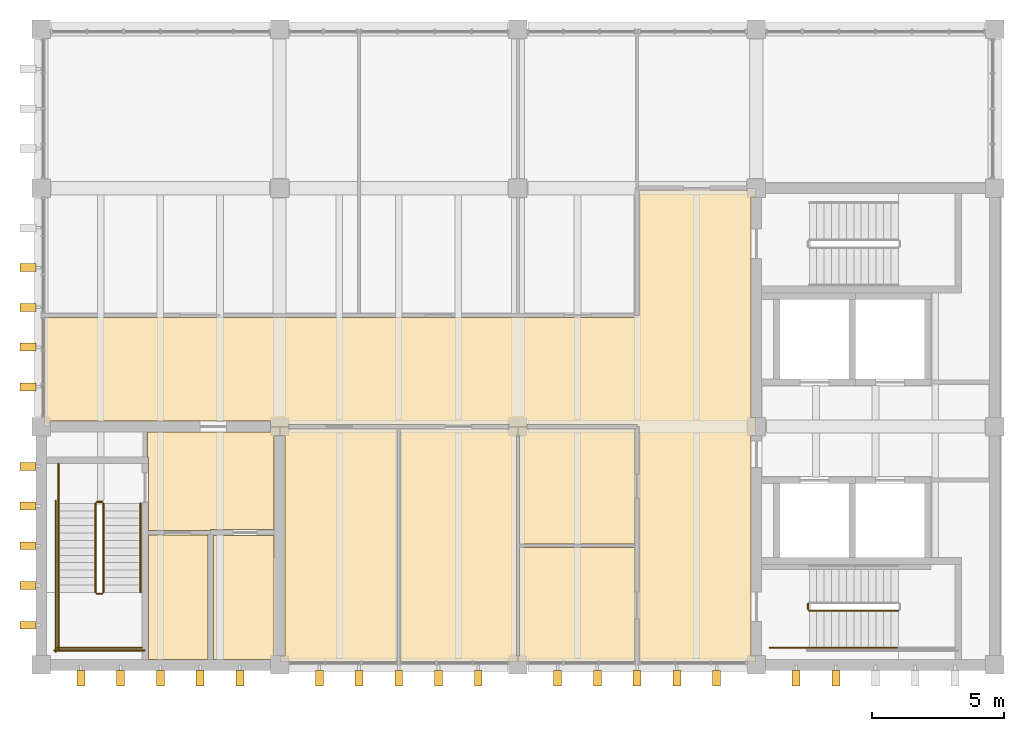
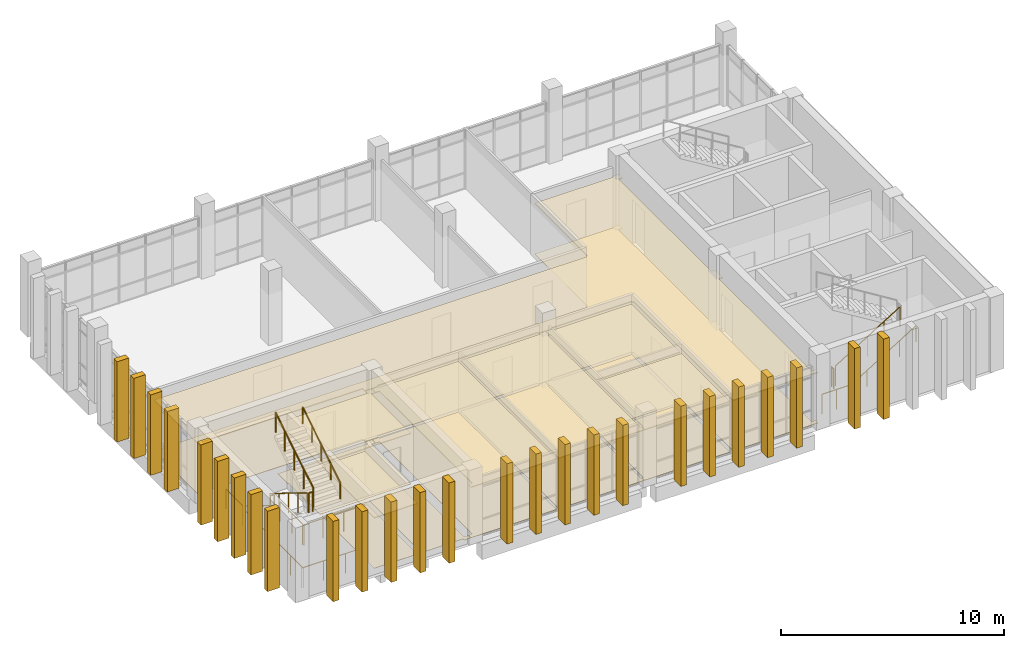
# One storey, part 12 of 14: 26 shading devices, 15 coverings, 15 railings.
"""IFC4 building model written with IfcOpenShell, lengths in metres."""

from ifc_helpers import new_model, si_unit, direction, frame, origin, origin_2d, place, context, subcontext, project, spatial, polyline, circle, outline, extrude, source, transform, mapped, material, layer, layer_set, type_object, element, save


model = new_model("IFC4")

# Units and contexts
model_context = context("Model", 3, precision=1e-05, world=origin(), true_north=direction((0.0, 1.0)))
body_context = subcontext(model_context, "Body", "Model", "MODEL_VIEW")
ifc_project = project(units=[si_unit("LENGTHUNIT", "METRE"), si_unit("AREAUNIT", "SQUARE_METRE"), si_unit("VOLUMEUNIT", "CUBIC_METRE"), si_unit("PLANEANGLEUNIT", "RADIAN"), si_unit("MASSUNIT", "GRAM", prefix="KILO")], contexts=[model_context])

# Site, building, storey
site_placement = place(None, origin())
site = spatial("IfcSite", under=ifc_project, at=site_placement, CompositionType="ELEMENT")
building_placement = place(site_placement, origin())
building = spatial("IfcBuilding", under=site, at=building_placement, Name="Merrow Basin Faculty of Sciences", CompositionType="ELEMENT")
storey_placement = place(building_placement, frame((0.0, 0.0, 36.0)))
storey = spatial("IfcBuildingStorey", under=building, at=storey_placement, Name="L08", CompositionType="ELEMENT", Elevation=36.0)

# Coverings
ifc_material_1 = material(Name="Carpet tile floor")
ifc_layer_1 = layer(ifc_material_1, 0.02001953125)
ifc_layer_set_1 = layer_set([ifc_layer_1], Name="Carpet tile floor")
covering_type_1 = type_object("IfcCoveringType", Name="Carpet tile floor", PredefinedType="FLOORING", material=ifc_layer_set_1)
covering_1_placement = place(storey_placement, origin())
element("IfcCovering", 1, at=covering_1_placement, inside=storey, type_object=covering_type_1, Name="Floor finish L08-T-011", PredefinedType="FLOORING", context=body_context, shape_type="SweptSolid", body=[
    extrude(outline(polyline([(26.989990234375, 142.110107421875), (26.659912109375, 142.110107421875), (26.659912109375, 142.2099609375), (24.510009765625, 142.2099609375), (24.510009765625, 146.889892578125), (26.7900390625, 146.889892578125), (26.7900390625, 142.340087890625), (26.989990234375, 142.340087890625), (26.989990234375, 142.110107421875)])), origin(), (0.0, 0.0, 1.0), 0.02001953125),
])
covering_2_placement = place(storey_placement, origin())
element("IfcCovering", 2, at=covering_2_placement, inside=storey, type_object=covering_type_1, Name="Floor finish L08-T-017", PredefinedType="FLOORING", context=body_context, shape_type="SweptSolid", body=[
    extrude(outline(polyline([(27.340087890625, 150.989990234375), (27.340087890625, 150.9150390625), (31.43994140625, 150.9150390625), (31.43994140625, 142.110107421875), (27.010009765625, 142.110107421875), (27.010009765625, 142.340087890625), (27.2099609375, 142.340087890625), (27.2099609375, 150.659912109375), (27.010009765625, 150.659912109375), (27.010009765625, 150.989990234375), (27.340087890625, 150.989990234375)])), origin(), (0.0, 0.0, 1.0), 0.02001953125),
])
covering_3_placement = place(storey_placement, origin())
element("IfcCovering", 3, at=covering_3_placement, inside=storey, type_object=covering_type_1, Name="Floor finish L08-T-018", PredefinedType="FLOORING", context=body_context, shape_type="SweptSolid", body=[
    extrude(outline(polyline([(35.989990234375, 150.989990234375), (35.989990234375, 150.659912109375), (35.93994140625, 150.659912109375), (35.93994140625, 142.340087890625), (35.989990234375, 142.340087890625), (35.989990234375, 142.110107421875), (31.56005859375, 142.110107421875), (31.56005859375, 150.9150390625), (35.659912109375, 150.9150390625), (35.659912109375, 150.989990234375), (35.989990234375, 150.989990234375)])), origin(), (0.0, 0.0, 1.0), 0.02001953125),
])
ifc_material_2 = material(Name="Ceramic floor tile")
ifc_layer_2 = layer(ifc_material_2, 0.02001953125)
ifc_layer_set_2 = layer_set([ifc_layer_2], Name="Ceramic floor tile")
covering_type_2 = type_object("IfcCoveringType", Name="Ceramic floor tile", PredefinedType="FLOORING", material=ifc_layer_set_2)
covering_4_placement = place(storey_placement, origin())
element("IfcCovering", 4, at=covering_4_placement, inside=storey, type_object=covering_type_2, Name="Floor finish L08-T-010", PredefinedType="FLOORING", context=body_context, shape_type="SweptSolid", body=[
    extrude(outline(polyline([(24.2900390625, 142.2099609375), (22.06005859375, 142.2099609375), (22.06005859375, 146.9150390625), (24.2900390625, 146.9150390625), (24.2900390625, 142.2099609375)])), origin(), (0.0, 0.0, 1.0), 0.02001953125),
])
covering_5_placement = place(storey_placement, origin())
element("IfcCovering", 5, at=covering_5_placement, inside=storey, type_object=covering_type_2, Name="Floor finish L08-T-012", PredefinedType="FLOORING", context=body_context, shape_type="SweptSolid", body=[
    extrude(outline(polyline([(36.010009765625, 142.110107421875), (36.010009765625, 142.340087890625), (36.06005859375, 142.340087890625), (36.06005859375, 146.43994140625), (40.4150390625, 146.43994140625), (40.4150390625, 142.110107421875), (36.010009765625, 142.110107421875)])), origin(), (0.0, 0.0, 1.0), 0.02001953125),
])
covering_6_placement = place(storey_placement, origin())
element("IfcCovering", 6, at=covering_6_placement, inside=storey, type_object=covering_type_2, Name="Floor finish L08-T-013", PredefinedType="FLOORING", context=body_context, shape_type="SweptSolid", body=[
    extrude(outline(polyline([(36.010009765625, 150.989990234375), (36.340087890625, 150.989990234375), (36.340087890625, 150.9150390625), (40.4150390625, 150.9150390625), (40.4150390625, 146.56005859375), (36.06005859375, 146.56005859375), (36.06005859375, 150.659912109375), (36.010009765625, 150.659912109375), (36.010009765625, 150.989990234375)])), origin(), (0.0, 0.0, 1.0), 0.02001953125),
])
ifc_material_3 = material(Name="Polished terrazzo floor")
ifc_layer_3 = layer(ifc_material_3, 0.02001953125)
ifc_layer_set_3 = layer_set([ifc_layer_3], Name="Polished terrazzo floor")
covering_type_3 = type_object("IfcCoveringType", Name="Polished terrazzo floor", PredefinedType="FLOORING", material=ifc_layer_set_3)
covering_7_placement = place(storey_placement, origin())
element("IfcCovering", 7, at=covering_7_placement, inside=storey, type_object=covering_type_3, Name="Floor finish L08-T-009", PredefinedType="FLOORING", context=body_context, shape_type="SweptSolid", body=[
    extrude(outline(polyline([(26.989990234375, 150.989990234375), (26.989990234375, 150.659912109375), (26.7900390625, 150.659912109375), (26.7900390625, 147.110107421875), (24.389892578125, 147.110107421875), (24.389892578125, 147.0849609375), (22.06005859375, 147.0849609375), (22.06005859375, 149.860107421875), (22.010009765625, 149.860107421875), (22.010009765625, 150.7900390625), (26.659912109375, 150.7900390625), (26.659912109375, 150.989990234375), (26.989990234375, 150.989990234375)])), origin(), (0.0, 0.0, 1.0), 0.02001953125),
])
covering_8_placement = place(storey_placement, origin())
element("IfcCovering", 8, at=covering_8_placement, inside=storey, type_object=covering_type_3, Name="Floor finish L08-T-020", PredefinedType="FLOORING", context=body_context, shape_type="SweptSolid", body=[
    extrude(outline(polyline([(44.989990234375, 159.659912109375), (44.7900390625, 159.659912109375), (44.7900390625, 151.340087890625), (44.989990234375, 151.340087890625), (44.989990234375, 150.659912109375), (44.7900390625, 150.659912109375), (44.7900390625, 142.340087890625), (44.989990234375, 142.340087890625), (44.989990234375, 142.110107421875), (40.5849609375, 142.110107421875), (40.5849609375, 151.010009765625), (40.510009765625, 151.010009765625), (40.510009765625, 151.0849609375), (36.340087890625, 151.0849609375), (36.340087890625, 151.010009765625), (35.659912109375, 151.010009765625), (35.659912109375, 151.0849609375), (27.340087890625, 151.0849609375), (27.340087890625, 151.010009765625), (26.659912109375, 151.010009765625), (26.659912109375, 151.2099609375), (18.340087890625, 151.2099609375), (18.340087890625, 151.010009765625), (18.110107421875, 151.010009765625), (18.110107421875, 155.114990234375), (40.510009765625, 155.114990234375), (40.510009765625, 155.18994140625), (40.5849609375, 155.18994140625), (40.5849609375, 159.9150390625), (44.659912109375, 159.9150390625), (44.659912109375, 159.989990234375), (44.989990234375, 159.989990234375), (44.989990234375, 159.659912109375)])), origin(), (0.0, 0.0, 1.0), 0.02001953125),
])

# Railings
ifc_material_4 = material(Name="Steel ASTM A36", Category="steel")
railing_type_1 = type_object("IfcRailingType", Name="Steel guard 1100", PredefinedType="GUARDRAIL", material=ifc_material_4)
railing_1_placement = place(storey_placement, frame((47.0, 144.050048828125, 0.173095703125)))
element("IfcRailing", 9, at=railing_1_placement, inside=storey, type_object=railing_type_1, Name="L08 ST-V5-N stair guard 1", PredefinedType="GUARDRAIL", context=body_context, shape_type="SweptSolid", body=[
    extrude(circle(Radius=0.02392578125, at=origin_2d()), frame((0.0, 0.0, 1.076171875), z_axis=(0.850623216509, 0.0, 0.525775754039), x_axis=(0.0, 1.0, 0.0)), (0.0, 0.0, 1.0), 3.9501953125),
    extrude(circle(Radius=0.02099609375, at=origin_2d()), origin(), (0.0, 0.0, 1.0), 1.052001953125),
    extrude(circle(Radius=0.02099609375, at=origin_2d()), frame((0.840087890625, 0.0, 0.519287109375)), (0.0, 0.0, 1.0), 1.052001953125),
    extrude(circle(Radius=0.02099609375, at=origin_2d()), frame((1.68017578125, 0.0, 1.03857421875)), (0.0, 0.0, 1.0), 1.052001953125),
    extrude(circle(Radius=0.02099609375, at=origin_2d()), frame((2.52001953125, 0.0, 1.5576171875)), (0.0, 0.0, 1.0), 1.052001953125),
    extrude(circle(Radius=0.02099609375, at=origin_2d()), frame((3.360107421875, 0.0, 2.076904296875)), (0.0, 0.0, 1.0), 1.052001953125),
])
railing_2_placement = place(storey_placement, frame((46.949951171875, 144.10009765625, 0.0)))
element("IfcRailing", 10, at=railing_2_placement, inside=storey, type_object=railing_type_1, Name="L08 ST-V5-N stair guard 5", PredefinedType="GUARDRAIL", context=body_context, shape_type="SweptSolid", body=[
    extrude(circle(Radius=0.02392578125, at=origin_2d()), frame((0.0, 0.0, 1.076171875), z_axis=(0.0, 1.0, 0.0), x_axis=(-1.0, 0.0, 0.0)), (0.0, 0.0, 1.0), 0.199951171875),
    extrude(circle(Radius=0.02099609375, at=origin_2d()), origin(), (0.0, 0.0, 1.0), 1.052001953125),
    extrude(circle(Radius=0.02099609375, at=origin_2d()), frame((0.0, 0.199951171875, 0.0)), (0.0, 0.0, 1.0), 1.052001953125),
])
railing_3_placement = place(storey_placement, frame((45.5, 142.64990234375, 0.0)))
element("IfcRailing", 11, at=railing_3_placement, inside=storey, type_object=railing_type_1, Name="L08 ST-V5-N stair guard 6", PredefinedType="GUARDRAIL", context=body_context, shape_type="SweptSolid", body=[
    extrude(circle(Radius=0.02392578125, at=origin_2d()), frame((0.0, 0.0, 1.076171875), z_axis=(1.0, 0.0, 0.0), x_axis=(0.0, 1.0, 0.0)), (0.0, 0.0, 1.0), 1.5),
    extrude(circle(Radius=0.02099609375, at=origin_2d()), origin(), (0.0, 0.0, 1.0), 1.052001953125),
    extrude(circle(Radius=0.02099609375, at=origin_2d()), frame((0.75, 0.0, 0.0)), (0.0, 0.0, 1.0), 1.052001953125),
    extrude(circle(Radius=0.02099609375, at=origin_2d()), frame((1.5, 0.0, 0.0)), (0.0, 0.0, 1.0), 1.052001953125),
])
railing_4_placement = place(storey_placement, frame((20.050048828125, 148.10009765625, 0.173095703125)))
element("IfcRailing", 12, at=railing_4_placement, inside=storey, type_object=railing_type_1, Name="L08 ST-V5-W stair guard 1", PredefinedType="GUARDRAIL", context=body_context, shape_type="SweptSolid", body=[
    extrude(circle(Radius=0.02392578125, at=origin_2d()), frame((0.0, 0.0, 1.076171875), z_axis=(0.0, -0.850623216509, 0.525775754039), x_axis=(1.0, 0.0, 0.0)), (0.0, 0.0, 1.0), 3.9501953125),
    extrude(circle(Radius=0.02099609375, at=origin_2d()), origin(), (0.0, 0.0, 1.0), 1.052001953125),
    extrude(circle(Radius=0.02099609375, at=origin_2d()), frame((0.0, -0.840087890625, 0.519287109375)), (0.0, 0.0, 1.0), 1.052001953125),
    extrude(circle(Radius=0.02099609375, at=origin_2d()), frame((0.0, -1.68017578125, 1.03857421875)), (0.0, 0.0, 1.0), 1.052001953125),
    extrude(circle(Radius=0.02099609375, at=origin_2d()), frame((0.0, -2.52001953125, 1.5576171875)), (0.0, 0.0, 1.0), 1.052001953125),
    extrude(circle(Radius=0.02099609375, at=origin_2d()), frame((0.0, -3.360107421875, 2.076904296875)), (0.0, 0.0, 1.0), 1.052001953125),
])
railing_5_placement = place(storey_placement, frame((20.10009765625, 144.68994140625, 2.25)))
element("IfcRailing", 13, at=railing_5_placement, inside=storey, type_object=railing_type_1, Name="L08 ST-V5-W stair guard 2", PredefinedType="GUARDRAIL", context=body_context, shape_type="SweptSolid", body=[
    extrude(circle(Radius=0.02392578125, at=origin_2d()), frame((0.0, 0.0, 1.076171875), z_axis=(1.0, 0.0, 0.0), x_axis=(0.0, 1.0, 0.0)), (0.0, 0.0, 1.0), 0.199951171875),
    extrude(circle(Radius=0.02099609375, at=origin_2d()), origin(), (0.0, 0.0, 1.0), 1.052001953125),
    extrude(circle(Radius=0.02099609375, at=origin_2d()), frame((0.199951171875, 0.0, 0.0)), (0.0, 0.0, 1.0), 1.052001953125),
])
railing_6_placement = place(storey_placement, frame((18.64990234375, 144.739990234375, 2.25)))
element("IfcRailing", 14, at=railing_6_placement, inside=storey, type_object=railing_type_1, Name="L08 ST-V5-W stair guard 3", PredefinedType="GUARDRAIL", context=body_context, shape_type="SweptSolid", body=[
    extrude(circle(Radius=0.02392578125, at=origin_2d()), frame((0.0, 0.0, 1.076171875), z_axis=(0.0, -1.0, 0.0), x_axis=(1.0, 0.0, 0.0)), (0.0, 0.0, 1.0), 2.139892578125),
    extrude(circle(Radius=0.02099609375, at=origin_2d()), origin(), (0.0, 0.0, 1.0), 1.052001953125),
    extrude(circle(Radius=0.02099609375, at=origin_2d()), frame((0.0, -1.06982421875, 0.0)), (0.0, 0.0, 1.0), 1.052001953125),
    extrude(circle(Radius=0.02099609375, at=origin_2d()), frame((0.0, -2.139892578125, 0.0)), (0.0, 0.0, 1.0), 1.052001953125),
])
railing_7_placement = place(storey_placement, frame((18.60009765625, 142.64990234375, 2.25)))
element("IfcRailing", 15, at=railing_7_placement, inside=storey, type_object=railing_type_1, Name="L08 ST-V5-W stair guard 4", PredefinedType="GUARDRAIL", context=body_context, shape_type="SweptSolid", body=[
    extrude(circle(Radius=0.02392578125, at=origin_2d()), frame((0.0, 0.0, 1.076171875), z_axis=(1.0, 0.0, 0.0), x_axis=(0.0, 1.0, 0.0)), (0.0, 0.0, 1.0), 3.199951171875),
    extrude(circle(Radius=0.02099609375, at=origin_2d()), origin(), (0.0, 0.0, 1.0), 1.052001953125),
    extrude(circle(Radius=0.02099609375, at=origin_2d()), frame((1.066650390625, 0.0, 0.0)), (0.0, 0.0, 1.0), 1.052001953125),
    extrude(circle(Radius=0.02099609375, at=origin_2d()), frame((2.13330078125, 0.0, 0.0)), (0.0, 0.0, 1.0), 1.052001953125),
    extrude(circle(Radius=0.02099609375, at=origin_2d()), frame((3.199951171875, 0.0, 0.0)), (0.0, 0.0, 1.0), 1.052001953125),
])
railing_8_placement = place(storey_placement, frame((20.35009765625, 144.739990234375, 2.423095703125)))
element("IfcRailing", 16, at=railing_8_placement, inside=storey, type_object=railing_type_1, Name="L08 ST-V5-W stair guard 5", PredefinedType="GUARDRAIL", context=body_context, shape_type="SweptSolid", body=[
    extrude(circle(Radius=0.02392578125, at=origin_2d()), frame((0.0, 0.0, 1.076171875), z_axis=(0.0, 0.850623216509, 0.525775754039), x_axis=(-1.0, 0.0, 0.0)), (0.0, 0.0, 1.0), 3.9501953125),
    extrude(circle(Radius=0.02099609375, at=origin_2d()), origin(), (0.0, 0.0, 1.0), 1.052001953125),
    extrude(circle(Radius=0.02099609375, at=origin_2d()), frame((0.0, 0.840087890625, 0.519287109375)), (0.0, 0.0, 1.0), 1.052001953125),
    extrude(circle(Radius=0.02099609375, at=origin_2d()), frame((0.0, 1.68017578125, 1.03857421875)), (0.0, 0.0, 1.0), 1.052001953125),
    extrude(circle(Radius=0.02099609375, at=origin_2d()), frame((0.0, 2.52001953125, 1.5576171875)), (0.0, 0.0, 1.0), 1.052001953125),
    extrude(circle(Radius=0.02099609375, at=origin_2d()), frame((0.0, 3.360107421875, 2.076904296875)), (0.0, 0.0, 1.0), 1.052001953125),
])
railing_9_placement = place(storey_placement, frame((20.10009765625, 148.14990234375, 0.0)))
element("IfcRailing", 17, at=railing_9_placement, inside=storey, type_object=railing_type_1, Name="L08 ST-V5-W stair guard 6", PredefinedType="GUARDRAIL", context=body_context, shape_type="SweptSolid", body=[
    extrude(circle(Radius=0.02392578125, at=origin_2d()), frame((0.0, 0.0, 1.076171875), z_axis=(1.0, 0.0, 0.0), x_axis=(0.0, 1.0, 0.0)), (0.0, 0.0, 1.0), 0.199951171875),
    extrude(circle(Radius=0.02099609375, at=origin_2d()), origin(), (0.0, 0.0, 1.0), 1.052001953125),
    extrude(circle(Radius=0.02099609375, at=origin_2d()), frame((0.199951171875, 0.0, 0.0)), (0.0, 0.0, 1.0), 1.052001953125),
])
railing_10_placement = place(storey_placement, frame((18.64990234375, 149.60009765625, 0.0)))
element("IfcRailing", 18, at=railing_10_placement, inside=storey, type_object=railing_type_1, Name="L08 ST-V5-W stair guard 7", PredefinedType="GUARDRAIL", context=body_context, shape_type="SweptSolid", body=[
    extrude(circle(Radius=0.02392578125, at=origin_2d()), frame((0.0, 0.0, 1.076171875), z_axis=(0.0, -1.0, 0.0), x_axis=(1.0, 0.0, 0.0)), (0.0, 0.0, 1.0), 1.5),
    extrude(circle(Radius=0.02099609375, at=origin_2d()), origin(), (0.0, 0.0, 1.0), 1.052001953125),
    extrude(circle(Radius=0.02099609375, at=origin_2d()), frame((0.0, -0.75, 0.0)), (0.0, 0.0, 1.0), 1.052001953125),
    extrude(circle(Radius=0.02099609375, at=origin_2d()), frame((0.0, -1.5, 0.0)), (0.0, 0.0, 1.0), 1.052001953125),
])
railing_11_placement = place(storey_placement, frame((18.550048828125, 148.199951171875, 0.0)))
element("IfcRailing", 19, at=railing_11_placement, inside=storey, type_object=railing_type_1, Name="L08 ST-V5-W stair guard 8", PredefinedType="GUARDRAIL", context=body_context, shape_type="SweptSolid", body=[
    extrude(circle(Radius=0.02392578125, at=origin_2d()), frame((0.0, 0.0, 1.076171875), z_axis=(0.0, -1.0, 0.0), x_axis=(1.0, 0.0, 0.0)), (0.0, 0.0, 1.0), 5.699951171875),
    extrude(circle(Radius=0.02099609375, at=origin_2d()), origin(), (0.0, 0.0, 1.0), 1.052001953125),
    extrude(circle(Radius=0.02099609375, at=origin_2d()), frame((0.0, -1.139892578125, 0.0)), (0.0, 0.0, 1.0), 1.052001953125),
    extrude(circle(Radius=0.02099609375, at=origin_2d()), frame((0.0, -2.280029296875, 0.0)), (0.0, 0.0, 1.0), 1.052001953125),
    extrude(circle(Radius=0.02099609375, at=origin_2d()), frame((0.0, -3.419921875, 0.0)), (0.0, 0.0, 1.0), 1.052001953125),
    extrude(circle(Radius=0.02099609375, at=origin_2d()), frame((0.0, -4.56005859375, 0.0)), (0.0, 0.0, 1.0), 1.052001953125),
    extrude(circle(Radius=0.02099609375, at=origin_2d()), frame((0.0, -5.699951171875, 0.0)), (0.0, 0.0, 1.0), 1.052001953125),
])
railing_12_placement = place(storey_placement, frame((18.5, 142.550048828125, 0.0)))
element("IfcRailing", 20, at=railing_12_placement, inside=storey, type_object=railing_type_1, Name="L08 ST-V5-W stair guard 9", PredefinedType="GUARDRAIL", context=body_context, shape_type="SweptSolid", body=[
    extrude(circle(Radius=0.02392578125, at=origin_2d()), frame((0.0, 0.0, 1.076171875), z_axis=(1.0, 0.0, 0.0), x_axis=(0.0, 1.0, 0.0)), (0.0, 0.0, 1.0), 3.39990234375),
    extrude(circle(Radius=0.02099609375, at=origin_2d()), origin(), (0.0, 0.0, 1.0), 1.052001953125),
    extrude(circle(Radius=0.02099609375, at=origin_2d()), frame((1.13330078125, 0.0, 0.0)), (0.0, 0.0, 1.0), 1.052001953125),
    extrude(circle(Radius=0.02099609375, at=origin_2d()), frame((2.2666015625, 0.0, 0.0)), (0.0, 0.0, 1.0), 1.052001953125),
    extrude(circle(Radius=0.02099609375, at=origin_2d()), frame((3.39990234375, 0.0, 0.0)), (0.0, 0.0, 1.0), 1.052001953125),
])
ifc_material_5 = material(Name="Steel ASTM A36", Category="steel")
railing_type_2 = type_object("IfcRailingType", Name="Steel handrail 900", PredefinedType="HANDRAIL", material=ifc_material_5)
railing_13_placement = place(storey_placement, frame((47.0, 142.64990234375, 0.173095703125)))
element("IfcRailing", 21, at=railing_13_placement, inside=storey, type_object=railing_type_2, Name="L08 ST-V5-N stair handrail 1", PredefinedType="HANDRAIL", context=body_context, shape_type="SweptSolid", body=[
    extrude(circle(Radius=0.02392578125, at=origin_2d()), frame((0.0, 0.0, 0.8759765625), z_axis=(0.850623216509, 0.0, 0.525775754039), x_axis=(0.0, 1.0, 0.0)), (0.0, 0.0, 1.0), 3.9501953125),
    extrude(circle(Radius=0.02099609375, at=origin_2d()), origin(), (0.0, 0.0, 1.0), 0.851806640625),
    extrude(circle(Radius=0.02099609375, at=origin_2d()), frame((0.840087890625, 0.0, 0.519287109375)), (0.0, 0.0, 1.0), 0.851806640625),
    extrude(circle(Radius=0.02099609375, at=origin_2d()), frame((1.68017578125, 0.0, 1.03857421875)), (0.0, 0.0, 1.0), 0.851806640625),
    extrude(circle(Radius=0.02099609375, at=origin_2d()), frame((2.52001953125, 0.0, 1.5576171875)), (0.0, 0.0, 1.0), 0.851806640625),
    extrude(circle(Radius=0.02099609375, at=origin_2d()), frame((3.360107421875, 0.0, 2.076904296875)), (0.0, 0.0, 1.0), 0.851806640625),
])
railing_14_placement = place(storey_placement, frame((18.64990234375, 148.10009765625, 0.173095703125)))
element("IfcRailing", 22, at=railing_14_placement, inside=storey, type_object=railing_type_2, Name="L08 ST-V5-W stair handrail 1", PredefinedType="HANDRAIL", context=body_context, shape_type="SweptSolid", body=[
    extrude(circle(Radius=0.02392578125, at=origin_2d()), frame((0.0, 0.0, 0.8759765625), z_axis=(0.0, -0.850623216509, 0.525775754039), x_axis=(1.0, 0.0, 0.0)), (0.0, 0.0, 1.0), 3.9501953125),
    extrude(circle(Radius=0.02099609375, at=origin_2d()), origin(), (0.0, 0.0, 1.0), 0.851806640625),
    extrude(circle(Radius=0.02099609375, at=origin_2d()), frame((0.0, -0.840087890625, 0.519287109375)), (0.0, 0.0, 1.0), 0.851806640625),
    extrude(circle(Radius=0.02099609375, at=origin_2d()), frame((0.0, -1.68017578125, 1.03857421875)), (0.0, 0.0, 1.0), 0.851806640625),
    extrude(circle(Radius=0.02099609375, at=origin_2d()), frame((0.0, -2.52001953125, 1.5576171875)), (0.0, 0.0, 1.0), 0.851806640625),
    extrude(circle(Radius=0.02099609375, at=origin_2d()), frame((0.0, -3.360107421875, 2.076904296875)), (0.0, 0.0, 1.0), 0.851806640625),
])
railing_15_placement = place(storey_placement, frame((21.75, 144.739990234375, 2.423095703125)))
element("IfcRailing", 23, at=railing_15_placement, inside=storey, type_object=railing_type_2, Name="L08 ST-V5-W stair handrail 2", PredefinedType="HANDRAIL", context=body_context, shape_type="SweptSolid", body=[
    extrude(circle(Radius=0.02392578125, at=origin_2d()), frame((0.0, 0.0, 0.8759765625), z_axis=(0.0, 0.850623216509, 0.525775754039), x_axis=(-1.0, 0.0, 0.0)), (0.0, 0.0, 1.0), 3.9501953125),
    extrude(circle(Radius=0.02099609375, at=origin_2d()), origin(), (0.0, 0.0, 1.0), 0.851806640625),
    extrude(circle(Radius=0.02099609375, at=origin_2d()), frame((0.0, 0.840087890625, 0.519287109375)), (0.0, 0.0, 1.0), 0.851806640625),
    extrude(circle(Radius=0.02099609375, at=origin_2d()), frame((0.0, 1.68017578125, 1.03857421875)), (0.0, 0.0, 1.0), 0.851806640625),
    extrude(circle(Radius=0.02099609375, at=origin_2d()), frame((0.0, 2.52001953125, 1.5576171875)), (0.0, 0.0, 1.0), 0.851806640625),
    extrude(circle(Radius=0.02099609375, at=origin_2d()), frame((0.0, 3.360107421875, 2.076904296875)), (0.0, 0.0, 1.0), 0.851806640625),
])

# Coverings
ifc_material_6 = material(Name="Mineral fibre ceiling tile")
ifc_layer_4 = layer(ifc_material_6, 0.050048828125)
ifc_layer_set_4 = layer_set([ifc_layer_4], Name="Suspended acoustic ceiling tile")
covering_type_4 = type_object("IfcCoveringType", Name="Suspended acoustic ceiling tile", PredefinedType="CEILING", material=ifc_layer_set_4)
covering_9_placement = place(storey_placement, frame((0.0, 0.0, 2.75)))
element("IfcCovering", 24, at=covering_9_placement, inside=storey, type_object=covering_type_4, Name="Ceiling L08-T-009", PredefinedType="CEILING", context=body_context, shape_type="SweptSolid", body=[
    extrude(outline(polyline([(26.989990234375, 150.989990234375), (26.989990234375, 150.659912109375), (26.7900390625, 150.659912109375), (26.7900390625, 147.110107421875), (24.389892578125, 147.110107421875), (24.389892578125, 147.0849609375), (22.06005859375, 147.0849609375), (22.06005859375, 149.860107421875), (22.010009765625, 149.860107421875), (22.010009765625, 150.7900390625), (26.659912109375, 150.7900390625), (26.659912109375, 150.989990234375), (26.989990234375, 150.989990234375)])), origin(), (0.0, 0.0, 1.0), 0.050048828125),
])
covering_10_placement = place(storey_placement, frame((0.0, 0.0, 2.75)))
element("IfcCovering", 25, at=covering_10_placement, inside=storey, type_object=covering_type_4, Name="Ceiling L08-T-010", PredefinedType="CEILING", context=body_context, shape_type="SweptSolid", body=[
    extrude(outline(polyline([(24.2900390625, 142.2099609375), (22.06005859375, 142.2099609375), (22.06005859375, 146.9150390625), (24.2900390625, 146.9150390625), (24.2900390625, 142.2099609375)])), origin(), (0.0, 0.0, 1.0), 0.050048828125),
])
covering_11_placement = place(storey_placement, frame((0.0, 0.0, 2.75)))
element("IfcCovering", 26, at=covering_11_placement, inside=storey, type_object=covering_type_4, Name="Ceiling L08-T-012", PredefinedType="CEILING", context=body_context, shape_type="SweptSolid", body=[
    extrude(outline(polyline([(36.010009765625, 142.110107421875), (36.010009765625, 142.340087890625), (36.06005859375, 142.340087890625), (36.06005859375, 146.43994140625), (40.4150390625, 146.43994140625), (40.4150390625, 142.110107421875), (36.010009765625, 142.110107421875)])), origin(), (0.0, 0.0, 1.0), 0.050048828125),
])
covering_12_placement = place(storey_placement, frame((0.0, 0.0, 2.75)))
element("IfcCovering", 27, at=covering_12_placement, inside=storey, type_object=covering_type_4, Name="Ceiling L08-T-013", PredefinedType="CEILING", context=body_context, shape_type="SweptSolid", body=[
    extrude(outline(polyline([(36.010009765625, 150.989990234375), (36.340087890625, 150.989990234375), (36.340087890625, 150.9150390625), (40.4150390625, 150.9150390625), (40.4150390625, 146.56005859375), (36.06005859375, 146.56005859375), (36.06005859375, 150.659912109375), (36.010009765625, 150.659912109375), (36.010009765625, 150.989990234375)])), origin(), (0.0, 0.0, 1.0), 0.050048828125),
])
covering_13_placement = place(storey_placement, frame((0.0, 0.0, 2.75)))
element("IfcCovering", 28, at=covering_13_placement, inside=storey, type_object=covering_type_4, Name="Ceiling L08-T-017", PredefinedType="CEILING", context=body_context, shape_type="SweptSolid", body=[
    extrude(outline(polyline([(27.340087890625, 150.989990234375), (27.340087890625, 150.9150390625), (31.43994140625, 150.9150390625), (31.43994140625, 142.110107421875), (27.010009765625, 142.110107421875), (27.010009765625, 142.340087890625), (27.2099609375, 142.340087890625), (27.2099609375, 150.659912109375), (27.010009765625, 150.659912109375), (27.010009765625, 150.989990234375), (27.340087890625, 150.989990234375)])), origin(), (0.0, 0.0, 1.0), 0.050048828125),
])
covering_14_placement = place(storey_placement, frame((0.0, 0.0, 2.75)))
element("IfcCovering", 29, at=covering_14_placement, inside=storey, type_object=covering_type_4, Name="Ceiling L08-T-018", PredefinedType="CEILING", context=body_context, shape_type="SweptSolid", body=[
    extrude(outline(polyline([(35.989990234375, 150.989990234375), (35.989990234375, 150.659912109375), (35.93994140625, 150.659912109375), (35.93994140625, 142.340087890625), (35.989990234375, 142.340087890625), (35.989990234375, 142.110107421875), (31.56005859375, 142.110107421875), (31.56005859375, 150.9150390625), (35.659912109375, 150.9150390625), (35.659912109375, 150.989990234375), (35.989990234375, 150.989990234375)])), origin(), (0.0, 0.0, 1.0), 0.050048828125),
])
covering_15_placement = place(storey_placement, frame((0.0, 0.0, 2.75)))
element("IfcCovering", 30, at=covering_15_placement, inside=storey, type_object=covering_type_4, Name="Ceiling L08-T-020", PredefinedType="CEILING", context=body_context, shape_type="SweptSolid", body=[
    extrude(outline(polyline([(44.989990234375, 159.659912109375), (44.7900390625, 159.659912109375), (44.7900390625, 151.340087890625), (44.989990234375, 151.340087890625), (44.989990234375, 150.659912109375), (44.7900390625, 150.659912109375), (44.7900390625, 142.340087890625), (44.989990234375, 142.340087890625), (44.989990234375, 142.110107421875), (40.5849609375, 142.110107421875), (40.5849609375, 151.010009765625), (40.510009765625, 151.010009765625), (40.510009765625, 151.0849609375), (36.340087890625, 151.0849609375), (36.340087890625, 151.010009765625), (35.659912109375, 151.010009765625), (35.659912109375, 151.0849609375), (27.340087890625, 151.0849609375), (27.340087890625, 151.010009765625), (26.659912109375, 151.010009765625), (26.659912109375, 151.2099609375), (18.340087890625, 151.2099609375), (18.340087890625, 151.010009765625), (18.110107421875, 151.010009765625), (18.110107421875, 155.114990234375), (40.510009765625, 155.114990234375), (40.510009765625, 155.18994140625), (40.5849609375, 155.18994140625), (40.5849609375, 159.9150390625), (44.659912109375, 159.9150390625), (44.659912109375, 159.989990234375), (44.989990234375, 159.989990234375), (44.989990234375, 159.659912109375)])), origin(), (0.0, 0.0, 1.0), 0.050048828125),
])

# Shading devices
ifc_material_7 = material(Name="White precast concrete C50/60", Category="concrete")
shading_device_type = type_object("IfcShadingDeviceType", Name="White precast fin 300 x 600", PredefinedType="USERDEFINED", material=ifc_material_7)
shared_shape = source(origin(), body_context, "Body", "SweptSolid", [
    extrude(outline(polyline([(0.0, 0.0), (0.300048828125, 0.0), (0.300048828125, 4.39990234375), (0.0, 4.39990234375), (0.0, 0.0)])), origin(), (0.0, 0.0, 1.0), 0.60009765625),
])
for number, where, z_axis, x_axis, name in (
    (31, (19.35009765625, 141.800048828125, -0.25), (0.0, -1.0, 0.0), (1.0, 0.0, 0.0), "Brise-soleil fin SL08"),
    (32, (20.85009765625, 141.800048828125, -0.25), (0.0, -1.0, 0.0), (1.0, 0.0, 0.0), "Brise-soleil fin SL08"),
    (33, (22.35009765625, 141.800048828125, -0.25), (0.0, -1.0, 0.0), (1.0, 0.0, 0.0), "Brise-soleil fin SL08"),
    (34, (23.85009765625, 141.800048828125, -0.25), (0.0, -1.0, 0.0), (1.0, 0.0, 0.0), "Brise-soleil fin SL08"),
    (35, (25.35009765625, 141.800048828125, -0.25), (0.0, -1.0, 0.0), (1.0, 0.0, 0.0), "Brise-soleil fin SL08"),
    (36, (28.35009765625, 141.800048828125, -0.25), (0.0, -1.0, 0.0), (1.0, 0.0, 0.0), "Brise-soleil fin SL08"),
    (37, (29.85009765625, 141.800048828125, -0.25), (0.0, -1.0, 0.0), (1.0, 0.0, 0.0), "Brise-soleil fin SL08"),
    (38, (31.35009765625, 141.800048828125, -0.25), (0.0, -1.0, 0.0), (1.0, 0.0, 0.0), "Brise-soleil fin SL08"),
    (39, (32.85009765625, 141.800048828125, -0.25), (0.0, -1.0, 0.0), (1.0, 0.0, 0.0), "Brise-soleil fin SL08"),
    (40, (34.35009765625, 141.800048828125, -0.25), (0.0, -1.0, 0.0), (1.0, 0.0, 0.0), "Brise-soleil fin SL08"),
    (41, (37.35009765625, 141.800048828125, -0.25), (0.0, -1.0, 0.0), (1.0, 0.0, 0.0), "Brise-soleil fin SL08"),
    (42, (38.85009765625, 141.800048828125, -0.25), (0.0, -1.0, 0.0), (1.0, 0.0, 0.0), "Brise-soleil fin SL08"),
    (43, (40.35009765625, 141.800048828125, -0.25), (0.0, -1.0, 0.0), (1.0, 0.0, 0.0), "Brise-soleil fin SL08"),
    (44, (41.85009765625, 141.800048828125, -0.25), (0.0, -1.0, 0.0), (1.0, 0.0, 0.0), "Brise-soleil fin SL08"),
    (45, (43.35009765625, 141.800048828125, -0.25), (0.0, -1.0, 0.0), (1.0, 0.0, 0.0), "Brise-soleil fin SL08"),
    (46, (46.35009765625, 141.800048828125, -0.25), (0.0, -1.0, 0.0), (1.0, 0.0, 0.0), "Brise-soleil fin SL08"),
    (47, (47.85009765625, 141.800048828125, -0.25), (0.0, -1.0, 0.0), (1.0, 0.0, 0.0), "Brise-soleil fin SL08"),
    (48, (17.800048828125, 143.64990234375, -0.25), (-1.0, 0.0, 0.0), (0.0, -1.0, 0.0), "Brise-soleil fin WL08"),
    (49, (17.800048828125, 145.14990234375, -0.25), (-1.0, 0.0, 0.0), (0.0, -1.0, 0.0), "Brise-soleil fin WL08"),
    (50, (17.800048828125, 146.64990234375, -0.25), (-1.0, 0.0, 0.0), (0.0, -1.0, 0.0), "Brise-soleil fin WL08"),
    (51, (17.800048828125, 148.14990234375, -0.25), (-1.0, 0.0, 0.0), (0.0, -1.0, 0.0), "Brise-soleil fin WL08"),
    (52, (17.800048828125, 149.64990234375, -0.25), (-1.0, 0.0, 0.0), (0.0, -1.0, 0.0), "Brise-soleil fin WL08"),
    (53, (17.800048828125, 152.64990234375, -0.25), (-1.0, 0.0, 0.0), (0.0, -1.0, 0.0), "Brise-soleil fin WL08"),
    (54, (17.800048828125, 154.14990234375, -0.25), (-1.0, 0.0, 0.0), (0.0, -1.0, 0.0), "Brise-soleil fin WL08"),
    (55, (17.800048828125, 155.64990234375, -0.25), (-1.0, 0.0, 0.0), (0.0, -1.0, 0.0), "Brise-soleil fin WL08"),
    (56, (17.800048828125, 157.14990234375, -0.25), (-1.0, 0.0, 0.0), (0.0, -1.0, 0.0), "Brise-soleil fin WL08"),
):
    element("IfcShadingDevice", number, at=place(storey_placement, frame(where, z_axis=z_axis, x_axis=x_axis)), inside=storey, type_object=shading_device_type, Name=name, ObjectType="FIN", PredefinedType="USERDEFINED", context=body_context, shape_type="MappedRepresentation", body=[
        mapped(shared_shape, transform((0.0, 0.0, 0.0), scale=1.0)),
    ])

save(model, "model.ifc")
